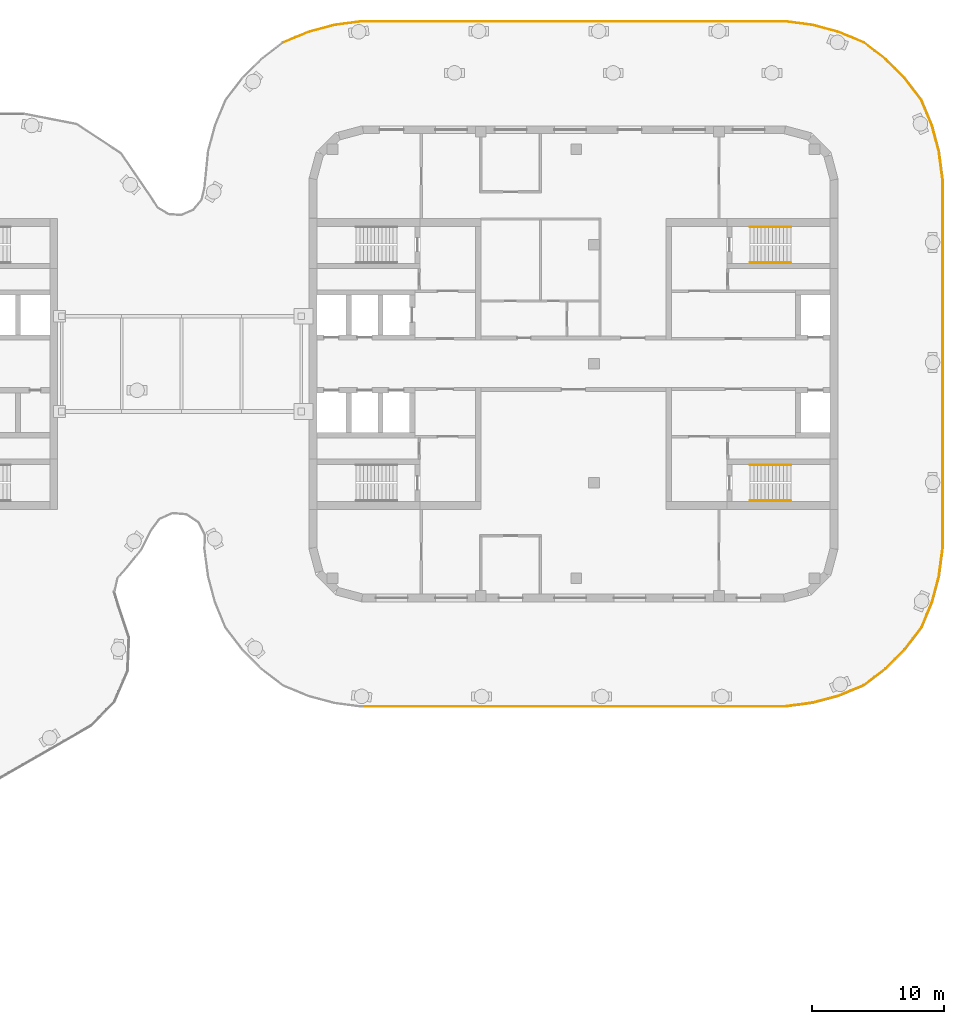
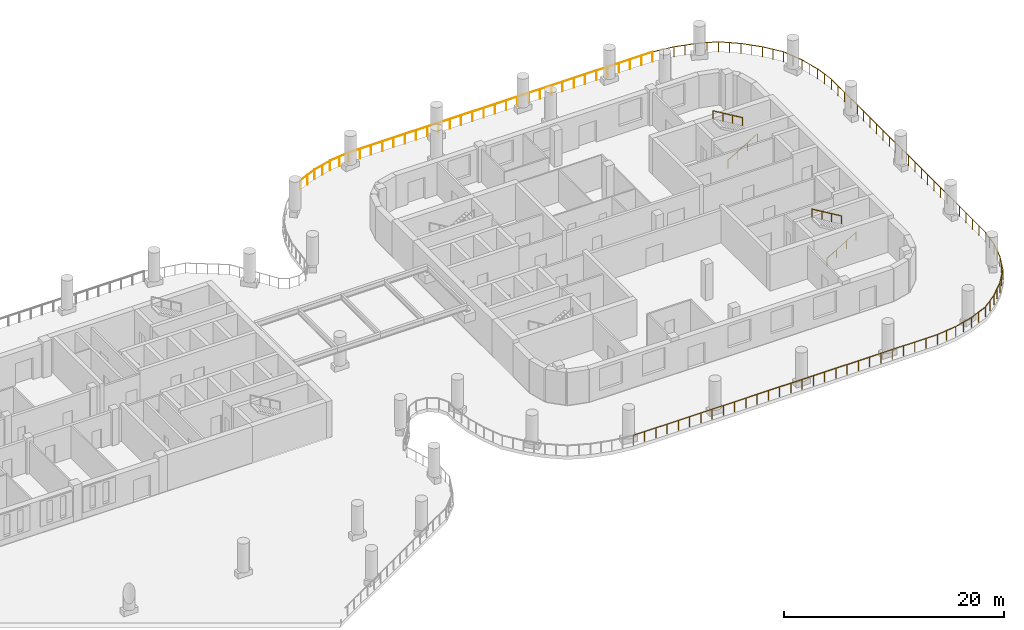
# One storey, part 16 of 18: 7 railings.
"""IFC4 building model written with IfcOpenShell, lengths in metres."""

from ifc_helpers import new_model, si_unit, direction, frame, origin, origin_2d, place, context, subcontext, project, spatial, circle, extrude, material, type_object, element, save


model = new_model("IFC4")

# Units and contexts
model_context = context("Model", 3, precision=1e-05, world=origin(), true_north=direction((0.0, 1.0)))
body_context = subcontext(model_context, "Body", "Model", "MODEL_VIEW")
ifc_project = project(units=[si_unit("LENGTHUNIT", "METRE"), si_unit("AREAUNIT", "SQUARE_METRE"), si_unit("VOLUMEUNIT", "CUBIC_METRE"), si_unit("PLANEANGLEUNIT", "RADIAN"), si_unit("MASSUNIT", "GRAM", prefix="KILO")], contexts=[model_context])

# Site, building, storey
site_placement = place(None, origin())
site = spatial("IfcSite", under=ifc_project, at=site_placement, CompositionType="ELEMENT")
building_placement = place(site_placement, origin())
building = spatial("IfcBuilding", under=site, at=building_placement, Name="Skarvind Civic Tower", CompositionType="ELEMENT")
storey_placement = place(building_placement, frame((0.0, 0.0, 27.5)))
storey = spatial("IfcBuildingStorey", under=building, at=storey_placement, Name="L05", CompositionType="ELEMENT", Elevation=27.5)

# Railings
ifc_material_1 = material(Name="Stainless steel balustrade", Category="steel")
railing_type_1 = type_object("IfcRailingType", Name="GR1 GUARD 1100", PredefinedType="GUARDRAIL", material=ifc_material_1)
railing_1_placement = place(storey_placement, frame((125.0517578125, 152.302734375, 0.0)))
element("IfcRailing", 1, at=railing_1_placement, inside=storey, type_object=railing_type_1, Name="PODIUM ROOF TERRACE GUARD", PredefinedType="GUARDRAIL", context=body_context, shape_type="SweptSolid", body=[
    extrude(circle(Radius=0.02392578125, at=origin_2d()), frame((0.0, 0.0, 1.076171875), z_axis=(0.924005469996, 0.382379250768, 0.0), x_axis=(-0.382379250768, 0.924005469996, 0.0)), (0.0, 0.0, 1.0), 2.09423828125),
    extrude(circle(Radius=0.02392578125, at=origin_2d()), frame((1.93505859375, 0.80078125, 1.076171875), z_axis=(0.965939918183, 0.258766447709, 0.0), x_axis=(-0.258766447709, 0.965939918183, 0.0)), (0.0, 0.0, 1.0), 2.009521484375),
    extrude(circle(Radius=0.02392578125, at=origin_2d()), frame((3.876220703125, 1.32080078125, 1.076171875), z_axis=(0.991453903281, 0.130457493725, 0.0), x_axis=(-0.130457493725, 0.991453903281, 0.0)), (0.0, 0.0, 1.0), 2.118408203125),
    extrude(circle(Radius=0.02392578125, at=origin_2d()), frame((5.9765625, 1.59716796875, 1.076171875), z_axis=(1.0, 0.0, 0.0), x_axis=(0.0, 1.0, 0.0)), (0.0, 0.0, 1.0), 31.943359375),
    extrude(circle(Radius=0.02099609375, at=origin_2d()), origin(), (0.0, 0.0, 1.0), 1.052001953125),
    extrude(circle(Radius=0.02099609375, at=origin_2d()), frame((0.967529296875, 0.400390625, 0.0)), (0.0, 0.0, 1.0), 1.052001953125),
    extrude(circle(Radius=0.02099609375, at=origin_2d()), frame((1.93505859375, 0.80078125, 0.0)), (0.0, 0.0, 1.0), 1.052001953125),
    extrude(circle(Radius=0.02099609375, at=origin_2d()), frame((2.90576171875, 1.060791015625, 0.0)), (0.0, 0.0, 1.0), 1.052001953125),
    extrude(circle(Radius=0.02099609375, at=origin_2d()), frame((3.876220703125, 1.32080078125, 0.0)), (0.0, 0.0, 1.0), 1.052001953125),
    extrude(circle(Radius=0.02099609375, at=origin_2d()), frame((4.92626953125, 1.458984375, 0.0)), (0.0, 0.0, 1.0), 1.052001953125),
    extrude(circle(Radius=0.02099609375, at=origin_2d()), frame((5.9765625, 1.59716796875, 0.0)), (0.0, 0.0, 1.0), 1.052001953125),
    extrude(circle(Radius=0.02099609375, at=origin_2d()), frame((7.15966796875, 1.59716796875, 0.0)), (0.0, 0.0, 1.0), 1.052001953125),
    extrude(circle(Radius=0.02099609375, at=origin_2d()), frame((8.3427734375, 1.59716796875, 0.0)), (0.0, 0.0, 1.0), 1.052001953125),
    extrude(circle(Radius=0.02099609375, at=origin_2d()), frame((9.52587890625, 1.59716796875, 0.0)), (0.0, 0.0, 1.0), 1.052001953125),
    extrude(circle(Radius=0.02099609375, at=origin_2d()), frame((10.708984375, 1.59716796875, 0.0)), (0.0, 0.0, 1.0), 1.052001953125),
    extrude(circle(Radius=0.02099609375, at=origin_2d()), frame((11.89208984375, 1.59716796875, 0.0)), (0.0, 0.0, 1.0), 1.052001953125),
    extrude(circle(Radius=0.02099609375, at=origin_2d()), frame((13.0751953125, 1.59716796875, 0.0)), (0.0, 0.0, 1.0), 1.052001953125),
    extrude(circle(Radius=0.02099609375, at=origin_2d()), frame((14.258056640625, 1.59716796875, 0.0)), (0.0, 0.0, 1.0), 1.052001953125),
    extrude(circle(Radius=0.02099609375, at=origin_2d()), frame((15.441162109375, 1.59716796875, 0.0)), (0.0, 0.0, 1.0), 1.052001953125),
    extrude(circle(Radius=0.02099609375, at=origin_2d()), frame((16.624267578125, 1.59716796875, 0.0)), (0.0, 0.0, 1.0), 1.052001953125),
    extrude(circle(Radius=0.02099609375, at=origin_2d()), frame((17.807373046875, 1.59716796875, 0.0)), (0.0, 0.0, 1.0), 1.052001953125),
    extrude(circle(Radius=0.02099609375, at=origin_2d()), frame((18.990478515625, 1.59716796875, 0.0)), (0.0, 0.0, 1.0), 1.052001953125),
    extrude(circle(Radius=0.02099609375, at=origin_2d()), frame((20.173583984375, 1.59716796875, 0.0)), (0.0, 0.0, 1.0), 1.052001953125),
    extrude(circle(Radius=0.02099609375, at=origin_2d()), frame((21.356689453125, 1.59716796875, 0.0)), (0.0, 0.0, 1.0), 1.052001953125),
    extrude(circle(Radius=0.02099609375, at=origin_2d()), frame((22.539794921875, 1.59716796875, 0.0)), (0.0, 0.0, 1.0), 1.052001953125),
    extrude(circle(Radius=0.02099609375, at=origin_2d()), frame((23.722900390625, 1.59716796875, 0.0)), (0.0, 0.0, 1.0), 1.052001953125),
    extrude(circle(Radius=0.02099609375, at=origin_2d()), frame((24.906005859375, 1.59716796875, 0.0)), (0.0, 0.0, 1.0), 1.052001953125),
    extrude(circle(Radius=0.02099609375, at=origin_2d()), frame((26.089111328125, 1.59716796875, 0.0)), (0.0, 0.0, 1.0), 1.052001953125),
    extrude(circle(Radius=0.02099609375, at=origin_2d()), frame((27.272216796875, 1.59716796875, 0.0)), (0.0, 0.0, 1.0), 1.052001953125),
    extrude(circle(Radius=0.02099609375, at=origin_2d()), frame((28.455322265625, 1.59716796875, 0.0)), (0.0, 0.0, 1.0), 1.052001953125),
    extrude(circle(Radius=0.02099609375, at=origin_2d()), frame((29.638427734375, 1.59716796875, 0.0)), (0.0, 0.0, 1.0), 1.052001953125),
    extrude(circle(Radius=0.02099609375, at=origin_2d()), frame((30.8212890625, 1.59716796875, 0.0)), (0.0, 0.0, 1.0), 1.052001953125),
    extrude(circle(Radius=0.02099609375, at=origin_2d()), frame((32.00439453125, 1.59716796875, 0.0)), (0.0, 0.0, 1.0), 1.052001953125),
    extrude(circle(Radius=0.02099609375, at=origin_2d()), frame((33.1875, 1.59716796875, 0.0)), (0.0, 0.0, 1.0), 1.052001953125),
    extrude(circle(Radius=0.02099609375, at=origin_2d()), frame((34.37060546875, 1.59716796875, 0.0)), (0.0, 0.0, 1.0), 1.052001953125),
    extrude(circle(Radius=0.02099609375, at=origin_2d()), frame((35.5537109375, 1.59716796875, 0.0)), (0.0, 0.0, 1.0), 1.052001953125),
    extrude(circle(Radius=0.02099609375, at=origin_2d()), frame((36.73681640625, 1.59716796875, 0.0)), (0.0, 0.0, 1.0), 1.052001953125),
    extrude(circle(Radius=0.02099609375, at=origin_2d()), frame((37.919921875, 1.59716796875, 0.0)), (0.0, 0.0, 1.0), 1.052001953125),
])
railing_2_placement = place(storey_placement, frame((162.9716796875, 153.89990234375, 0.0)))
element("IfcRailing", 2, at=railing_2_placement, inside=storey, type_object=railing_type_1, Name="PODIUM ROOF TERRACE GUARD", PredefinedType="GUARDRAIL", context=body_context, shape_type="SweptSolid", body=[
    extrude(circle(Radius=0.02392578125, at=origin_2d()), frame((0.0, 0.0, 1.076171875), z_axis=(0.991453903281, -0.130457493725, 0.0), x_axis=(0.130457493725, 0.991453903281, 0.0)), (0.0, 0.0, 1.0), 2.118408203125),
    extrude(circle(Radius=0.02392578125, at=origin_2d()), frame((2.100341796875, -0.2763671875, 1.076171875), z_axis=(0.965939918183, -0.258766447709, 0.0), x_axis=(0.258766447709, 0.965939918183, 0.0)), (0.0, 0.0, 1.0), 2.009521484375),
    extrude(circle(Radius=0.02392578125, at=origin_2d()), frame((4.04150390625, -0.79638671875, 1.076171875), z_axis=(0.924005469996, -0.382379250768, 0.0), x_axis=(0.382379250768, 0.924005469996, 0.0)), (0.0, 0.0, 1.0), 2.09423828125),
    extrude(circle(Radius=0.02392578125, at=origin_2d()), frame((5.9765625, -1.59716796875, 1.076171875), z_axis=(0.793122059235, -0.609062721856, 0.0), x_axis=(0.609062721856, 0.793122059235, 0.0)), (0.0, 0.0, 1.0), 2.094482421875),
    extrude(circle(Radius=0.02392578125, at=origin_2d()), frame((7.6376953125, -2.872802734375, 1.076171875), z_axis=(0.707106781187, -0.707106781187, 0.0), x_axis=(0.707106781187, 0.707106781187, 0.0)), (0.0, 0.0, 1.0), 2.0048828125),
    extrude(circle(Radius=0.02392578125, at=origin_2d()), frame((9.055419921875, -4.29052734375, 1.076171875), z_axis=(0.609062721856, -0.793122059235, 0.0), x_axis=(0.793122059235, 0.609062721856, 0.0)), (0.0, 0.0, 1.0), 2.094482421875),
    extrude(circle(Radius=0.02392578125, at=origin_2d()), frame((10.3310546875, -5.95166015625, 1.076171875), z_axis=(0.382379250768, -0.924005469996, 0.0), x_axis=(0.924005469996, 0.382379250768, 0.0)), (0.0, 0.0, 1.0), 2.09423828125),
    extrude(circle(Radius=0.02392578125, at=origin_2d()), frame((11.1318359375, -7.88671875, 1.076171875), z_axis=(0.258766447709, -0.965939918183, 0.0), x_axis=(0.965939918183, 0.258766447709, 0.0)), (0.0, 0.0, 1.0), 2.009521484375),
    extrude(circle(Radius=0.02392578125, at=origin_2d()), frame((11.65185546875, -9.827880859375, 1.076171875), z_axis=(0.130457493725, -0.991453903281, 0.0), x_axis=(0.991453903281, 0.130457493725, 0.0)), (0.0, 0.0, 1.0), 2.118408203125),
    extrude(circle(Radius=0.02392578125, at=origin_2d()), frame((11.92822265625, -11.92822265625, 1.076171875), z_axis=(0.0, -1.0, 0.0), x_axis=(1.0, 0.0, 0.0)), (0.0, 0.0, 1.0), 27.943359375),
    extrude(circle(Radius=0.02099609375, at=origin_2d()), origin(), (0.0, 0.0, 1.0), 1.052001953125),
    extrude(circle(Radius=0.02099609375, at=origin_2d()), frame((1.05029296875, -0.13818359375, 0.0)), (0.0, 0.0, 1.0), 1.052001953125),
    extrude(circle(Radius=0.02099609375, at=origin_2d()), frame((2.100341796875, -0.2763671875, 0.0)), (0.0, 0.0, 1.0), 1.052001953125),
    extrude(circle(Radius=0.02099609375, at=origin_2d()), frame((3.07080078125, -0.536376953125, 0.0)), (0.0, 0.0, 1.0), 1.052001953125),
    extrude(circle(Radius=0.02099609375, at=origin_2d()), frame((4.04150390625, -0.79638671875, 0.0)), (0.0, 0.0, 1.0), 1.052001953125),
    extrude(circle(Radius=0.02099609375, at=origin_2d()), frame((5.009033203125, -1.19677734375, 0.0)), (0.0, 0.0, 1.0), 1.052001953125),
    extrude(circle(Radius=0.02099609375, at=origin_2d()), frame((5.9765625, -1.59716796875, 0.0)), (0.0, 0.0, 1.0), 1.052001953125),
    extrude(circle(Radius=0.02099609375, at=origin_2d()), frame((6.80712890625, -2.23486328125, 0.0)), (0.0, 0.0, 1.0), 1.052001953125),
    extrude(circle(Radius=0.02099609375, at=origin_2d()), frame((7.6376953125, -2.872802734375, 0.0)), (0.0, 0.0, 1.0), 1.052001953125),
    extrude(circle(Radius=0.02099609375, at=origin_2d()), frame((8.3466796875, -3.58154296875, 0.0)), (0.0, 0.0, 1.0), 1.052001953125),
    extrude(circle(Radius=0.02099609375, at=origin_2d()), frame((9.055419921875, -4.29052734375, 0.0)), (0.0, 0.0, 1.0), 1.052001953125),
    extrude(circle(Radius=0.02099609375, at=origin_2d()), frame((9.693359375, -5.12109375, 0.0)), (0.0, 0.0, 1.0), 1.052001953125),
    extrude(circle(Radius=0.02099609375, at=origin_2d()), frame((10.3310546875, -5.95166015625, 0.0)), (0.0, 0.0, 1.0), 1.052001953125),
    extrude(circle(Radius=0.02099609375, at=origin_2d()), frame((10.7314453125, -6.919189453125, 0.0)), (0.0, 0.0, 1.0), 1.052001953125),
    extrude(circle(Radius=0.02099609375, at=origin_2d()), frame((11.1318359375, -7.88671875, 0.0)), (0.0, 0.0, 1.0), 1.052001953125),
    extrude(circle(Radius=0.02099609375, at=origin_2d()), frame((11.391845703125, -8.857421875, 0.0)), (0.0, 0.0, 1.0), 1.052001953125),
    extrude(circle(Radius=0.02099609375, at=origin_2d()), frame((11.65185546875, -9.827880859375, 0.0)), (0.0, 0.0, 1.0), 1.052001953125),
    extrude(circle(Radius=0.02099609375, at=origin_2d()), frame((11.7900390625, -10.8779296875, 0.0)), (0.0, 0.0, 1.0), 1.052001953125),
    extrude(circle(Radius=0.02099609375, at=origin_2d()), frame((11.92822265625, -11.92822265625, 0.0)), (0.0, 0.0, 1.0), 1.052001953125),
    extrude(circle(Radius=0.02099609375, at=origin_2d()), frame((11.92822265625, -13.092529296875, 0.0)), (0.0, 0.0, 1.0), 1.052001953125),
    extrude(circle(Radius=0.02099609375, at=origin_2d()), frame((11.92822265625, -14.2568359375, 0.0)), (0.0, 0.0, 1.0), 1.052001953125),
    extrude(circle(Radius=0.02099609375, at=origin_2d()), frame((11.92822265625, -15.421142578125, 0.0)), (0.0, 0.0, 1.0), 1.052001953125),
    extrude(circle(Radius=0.02099609375, at=origin_2d()), frame((11.92822265625, -16.58544921875, 0.0)), (0.0, 0.0, 1.0), 1.052001953125),
    extrude(circle(Radius=0.02099609375, at=origin_2d()), frame((11.92822265625, -17.749755859375, 0.0)), (0.0, 0.0, 1.0), 1.052001953125),
    extrude(circle(Radius=0.02099609375, at=origin_2d()), frame((11.92822265625, -18.9140625, 0.0)), (0.0, 0.0, 1.0), 1.052001953125),
    extrude(circle(Radius=0.02099609375, at=origin_2d()), frame((11.92822265625, -20.078369140625, 0.0)), (0.0, 0.0, 1.0), 1.052001953125),
    extrude(circle(Radius=0.02099609375, at=origin_2d()), frame((11.92822265625, -21.24267578125, 0.0)), (0.0, 0.0, 1.0), 1.052001953125),
    extrude(circle(Radius=0.02099609375, at=origin_2d()), frame((11.92822265625, -22.406982421875, 0.0)), (0.0, 0.0, 1.0), 1.052001953125),
    extrude(circle(Radius=0.02099609375, at=origin_2d()), frame((11.92822265625, -23.5712890625, 0.0)), (0.0, 0.0, 1.0), 1.052001953125),
    extrude(circle(Radius=0.02099609375, at=origin_2d()), frame((11.92822265625, -24.735595703125, 0.0)), (0.0, 0.0, 1.0), 1.052001953125),
    extrude(circle(Radius=0.02099609375, at=origin_2d()), frame((11.92822265625, -25.89990234375, 0.0)), (0.0, 0.0, 1.0), 1.052001953125),
    extrude(circle(Radius=0.02099609375, at=origin_2d()), frame((11.92822265625, -27.064208984375, 0.0)), (0.0, 0.0, 1.0), 1.052001953125),
    extrude(circle(Radius=0.02099609375, at=origin_2d()), frame((11.92822265625, -28.228515625, 0.0)), (0.0, 0.0, 1.0), 1.052001953125),
    extrude(circle(Radius=0.02099609375, at=origin_2d()), frame((11.92822265625, -29.392822265625, 0.0)), (0.0, 0.0, 1.0), 1.052001953125),
    extrude(circle(Radius=0.02099609375, at=origin_2d()), frame((11.92822265625, -30.55712890625, 0.0)), (0.0, 0.0, 1.0), 1.052001953125),
    extrude(circle(Radius=0.02099609375, at=origin_2d()), frame((11.92822265625, -31.721435546875, 0.0)), (0.0, 0.0, 1.0), 1.052001953125),
    extrude(circle(Radius=0.02099609375, at=origin_2d()), frame((11.92822265625, -32.8857421875, 0.0)), (0.0, 0.0, 1.0), 1.052001953125),
    extrude(circle(Radius=0.02099609375, at=origin_2d()), frame((11.92822265625, -34.050048828125, 0.0)), (0.0, 0.0, 1.0), 1.052001953125),
    extrude(circle(Radius=0.02099609375, at=origin_2d()), frame((11.92822265625, -35.21435546875, 0.0)), (0.0, 0.0, 1.0), 1.052001953125),
    extrude(circle(Radius=0.02099609375, at=origin_2d()), frame((11.92822265625, -36.378662109375, 0.0)), (0.0, 0.0, 1.0), 1.052001953125),
    extrude(circle(Radius=0.02099609375, at=origin_2d()), frame((11.92822265625, -37.54296875, 0.0)), (0.0, 0.0, 1.0), 1.052001953125),
    extrude(circle(Radius=0.02099609375, at=origin_2d()), frame((11.92822265625, -38.707275390625, 0.0)), (0.0, 0.0, 1.0), 1.052001953125),
    extrude(circle(Radius=0.02099609375, at=origin_2d()), frame((11.92822265625, -39.87158203125, 0.0)), (0.0, 0.0, 1.0), 1.052001953125),
])
railing_3_placement = place(storey_placement, frame((174.89990234375, 114.0283203125, 0.0)))
element("IfcRailing", 3, at=railing_3_placement, inside=storey, type_object=railing_type_1, Name="PODIUM ROOF TERRACE GUARD", PredefinedType="GUARDRAIL", context=body_context, shape_type="SweptSolid", body=[
    extrude(circle(Radius=0.02392578125, at=origin_2d()), frame((0.0, 0.0, 1.076171875), z_axis=(-0.130457493725, -0.991453903281, 0.0), x_axis=(0.991453903281, -0.130457493725, 0.0)), (0.0, 0.0, 1.0), 2.118408203125),
    extrude(circle(Radius=0.02392578125, at=origin_2d()), frame((-0.2763671875, -2.100341796875, 1.076171875), z_axis=(-0.258766447709, -0.965939918183, 0.0), x_axis=(0.965939918183, -0.258766447709, 0.0)), (0.0, 0.0, 1.0), 2.009521484375),
    extrude(circle(Radius=0.02392578125, at=origin_2d()), frame((-0.79638671875, -4.04150390625, 1.076171875), z_axis=(-0.382379250768, -0.924005469996, 0.0), x_axis=(0.924005469996, -0.382379250768, 0.0)), (0.0, 0.0, 1.0), 2.09423828125),
    extrude(circle(Radius=0.02392578125, at=origin_2d()), frame((-1.59716796875, -5.9765625, 1.076171875), z_axis=(-0.609062721856, -0.793122059235, 0.0), x_axis=(0.793122059235, -0.609062721856, 0.0)), (0.0, 0.0, 1.0), 2.094482421875),
    extrude(circle(Radius=0.02392578125, at=origin_2d()), frame((-2.872802734375, -7.6376953125, 1.076171875), z_axis=(-0.707106781187, -0.707106781187, 0.0), x_axis=(0.707106781187, -0.707106781187, 0.0)), (0.0, 0.0, 1.0), 2.0048828125),
    extrude(circle(Radius=0.02392578125, at=origin_2d()), frame((-4.29052734375, -9.055419921875, 1.076171875), z_axis=(-0.793122059235, -0.609062721856, 0.0), x_axis=(0.609062721856, -0.793122059235, 0.0)), (0.0, 0.0, 1.0), 2.094482421875),
    extrude(circle(Radius=0.02392578125, at=origin_2d()), frame((-5.95166015625, -10.3310546875, 1.076171875), z_axis=(-0.924005469996, -0.382379250768, 0.0), x_axis=(0.382379250768, -0.924005469996, 0.0)), (0.0, 0.0, 1.0), 2.09423828125),
    extrude(circle(Radius=0.02392578125, at=origin_2d()), frame((-7.88671875, -11.1318359375, 1.076171875), z_axis=(-0.965939918183, -0.258766447709, 0.0), x_axis=(0.258766447709, -0.965939918183, 0.0)), (0.0, 0.0, 1.0), 2.009521484375),
    extrude(circle(Radius=0.02392578125, at=origin_2d()), frame((-9.827880859375, -11.65185546875, 1.076171875), z_axis=(-0.991453903281, -0.130457493725, 0.0), x_axis=(0.130457493725, -0.991453903281, 0.0)), (0.0, 0.0, 1.0), 2.118408203125),
    extrude(circle(Radius=0.02392578125, at=origin_2d()), frame((-11.92822265625, -11.92822265625, 1.076171875), z_axis=(-1.0, 0.0, 0.0), x_axis=(0.0, -1.0, 0.0)), (0.0, 0.0, 1.0), 31.943359375),
    extrude(circle(Radius=0.02099609375, at=origin_2d()), origin(), (0.0, 0.0, 1.0), 1.052001953125),
    extrude(circle(Radius=0.02099609375, at=origin_2d()), frame((-0.13818359375, -1.05029296875, 0.0)), (0.0, 0.0, 1.0), 1.052001953125),
    extrude(circle(Radius=0.02099609375, at=origin_2d()), frame((-0.2763671875, -2.100341796875, 0.0)), (0.0, 0.0, 1.0), 1.052001953125),
    extrude(circle(Radius=0.02099609375, at=origin_2d()), frame((-0.536376953125, -3.07080078125, 0.0)), (0.0, 0.0, 1.0), 1.052001953125),
    extrude(circle(Radius=0.02099609375, at=origin_2d()), frame((-0.79638671875, -4.04150390625, 0.0)), (0.0, 0.0, 1.0), 1.052001953125),
    extrude(circle(Radius=0.02099609375, at=origin_2d()), frame((-1.19677734375, -5.009033203125, 0.0)), (0.0, 0.0, 1.0), 1.052001953125),
    extrude(circle(Radius=0.02099609375, at=origin_2d()), frame((-1.59716796875, -5.9765625, 0.0)), (0.0, 0.0, 1.0), 1.052001953125),
    extrude(circle(Radius=0.02099609375, at=origin_2d()), frame((-2.23486328125, -6.80712890625, 0.0)), (0.0, 0.0, 1.0), 1.052001953125),
    extrude(circle(Radius=0.02099609375, at=origin_2d()), frame((-2.872802734375, -7.6376953125, 0.0)), (0.0, 0.0, 1.0), 1.052001953125),
    extrude(circle(Radius=0.02099609375, at=origin_2d()), frame((-3.58154296875, -8.3466796875, 0.0)), (0.0, 0.0, 1.0), 1.052001953125),
    extrude(circle(Radius=0.02099609375, at=origin_2d()), frame((-4.29052734375, -9.055419921875, 0.0)), (0.0, 0.0, 1.0), 1.052001953125),
    extrude(circle(Radius=0.02099609375, at=origin_2d()), frame((-5.12109375, -9.693359375, 0.0)), (0.0, 0.0, 1.0), 1.052001953125),
    extrude(circle(Radius=0.02099609375, at=origin_2d()), frame((-5.95166015625, -10.3310546875, 0.0)), (0.0, 0.0, 1.0), 1.052001953125),
    extrude(circle(Radius=0.02099609375, at=origin_2d()), frame((-6.919189453125, -10.7314453125, 0.0)), (0.0, 0.0, 1.0), 1.052001953125),
    extrude(circle(Radius=0.02099609375, at=origin_2d()), frame((-7.88671875, -11.1318359375, 0.0)), (0.0, 0.0, 1.0), 1.052001953125),
    extrude(circle(Radius=0.02099609375, at=origin_2d()), frame((-8.857421875, -11.391845703125, 0.0)), (0.0, 0.0, 1.0), 1.052001953125),
    extrude(circle(Radius=0.02099609375, at=origin_2d()), frame((-9.827880859375, -11.65185546875, 0.0)), (0.0, 0.0, 1.0), 1.052001953125),
    extrude(circle(Radius=0.02099609375, at=origin_2d()), frame((-10.8779296875, -11.7900390625, 0.0)), (0.0, 0.0, 1.0), 1.052001953125),
    extrude(circle(Radius=0.02099609375, at=origin_2d()), frame((-11.92822265625, -11.92822265625, 0.0)), (0.0, 0.0, 1.0), 1.052001953125),
    extrude(circle(Radius=0.02099609375, at=origin_2d()), frame((-13.111328125, -11.92822265625, 0.0)), (0.0, 0.0, 1.0), 1.052001953125),
    extrude(circle(Radius=0.02099609375, at=origin_2d()), frame((-14.29443359375, -11.92822265625, 0.0)), (0.0, 0.0, 1.0), 1.052001953125),
    extrude(circle(Radius=0.02099609375, at=origin_2d()), frame((-15.4775390625, -11.92822265625, 0.0)), (0.0, 0.0, 1.0), 1.052001953125),
    extrude(circle(Radius=0.02099609375, at=origin_2d()), frame((-16.66064453125, -11.92822265625, 0.0)), (0.0, 0.0, 1.0), 1.052001953125),
    extrude(circle(Radius=0.02099609375, at=origin_2d()), frame((-17.84375, -11.92822265625, 0.0)), (0.0, 0.0, 1.0), 1.052001953125),
    extrude(circle(Radius=0.02099609375, at=origin_2d()), frame((-19.02685546875, -11.92822265625, 0.0)), (0.0, 0.0, 1.0), 1.052001953125),
    extrude(circle(Radius=0.02099609375, at=origin_2d()), frame((-20.209716796875, -11.92822265625, 0.0)), (0.0, 0.0, 1.0), 1.052001953125),
    extrude(circle(Radius=0.02099609375, at=origin_2d()), frame((-21.392822265625, -11.92822265625, 0.0)), (0.0, 0.0, 1.0), 1.052001953125),
    extrude(circle(Radius=0.02099609375, at=origin_2d()), frame((-22.575927734375, -11.92822265625, 0.0)), (0.0, 0.0, 1.0), 1.052001953125),
    extrude(circle(Radius=0.02099609375, at=origin_2d()), frame((-23.759033203125, -11.92822265625, 0.0)), (0.0, 0.0, 1.0), 1.052001953125),
    extrude(circle(Radius=0.02099609375, at=origin_2d()), frame((-24.942138671875, -11.92822265625, 0.0)), (0.0, 0.0, 1.0), 1.052001953125),
    extrude(circle(Radius=0.02099609375, at=origin_2d()), frame((-26.125244140625, -11.92822265625, 0.0)), (0.0, 0.0, 1.0), 1.052001953125),
    extrude(circle(Radius=0.02099609375, at=origin_2d()), frame((-27.308349609375, -11.92822265625, 0.0)), (0.0, 0.0, 1.0), 1.052001953125),
    extrude(circle(Radius=0.02099609375, at=origin_2d()), frame((-28.491455078125, -11.92822265625, 0.0)), (0.0, 0.0, 1.0), 1.052001953125),
    extrude(circle(Radius=0.02099609375, at=origin_2d()), frame((-29.674560546875, -11.92822265625, 0.0)), (0.0, 0.0, 1.0), 1.052001953125),
    extrude(circle(Radius=0.02099609375, at=origin_2d()), frame((-30.857666015625, -11.92822265625, 0.0)), (0.0, 0.0, 1.0), 1.052001953125),
    extrude(circle(Radius=0.02099609375, at=origin_2d()), frame((-32.040771484375, -11.92822265625, 0.0)), (0.0, 0.0, 1.0), 1.052001953125),
    extrude(circle(Radius=0.02099609375, at=origin_2d()), frame((-33.223876953125, -11.92822265625, 0.0)), (0.0, 0.0, 1.0), 1.052001953125),
    extrude(circle(Radius=0.02099609375, at=origin_2d()), frame((-34.406982421875, -11.92822265625, 0.0)), (0.0, 0.0, 1.0), 1.052001953125),
    extrude(circle(Radius=0.02099609375, at=origin_2d()), frame((-35.590087890625, -11.92822265625, 0.0)), (0.0, 0.0, 1.0), 1.052001953125),
    extrude(circle(Radius=0.02099609375, at=origin_2d()), frame((-36.77294921875, -11.92822265625, 0.0)), (0.0, 0.0, 1.0), 1.052001953125),
    extrude(circle(Radius=0.02099609375, at=origin_2d()), frame((-37.9560546875, -11.92822265625, 0.0)), (0.0, 0.0, 1.0), 1.052001953125),
    extrude(circle(Radius=0.02099609375, at=origin_2d()), frame((-39.13916015625, -11.92822265625, 0.0)), (0.0, 0.0, 1.0), 1.052001953125),
    extrude(circle(Radius=0.02099609375, at=origin_2d()), frame((-40.322265625, -11.92822265625, 0.0)), (0.0, 0.0, 1.0), 1.052001953125),
    extrude(circle(Radius=0.02099609375, at=origin_2d()), frame((-41.50537109375, -11.92822265625, 0.0)), (0.0, 0.0, 1.0), 1.052001953125),
    extrude(circle(Radius=0.02099609375, at=origin_2d()), frame((-42.6884765625, -11.92822265625, 0.0)), (0.0, 0.0, 1.0), 1.052001953125),
    extrude(circle(Radius=0.02099609375, at=origin_2d()), frame((-43.87158203125, -11.92822265625, 0.0)), (0.0, 0.0, 1.0), 1.052001953125),
])
ifc_material_2 = material(Name="Painted steel handrail", Category="steel")
railing_type_2 = type_object("IfcRailingType", Name="Stair handrail 900", PredefinedType="HANDRAIL", material=ifc_material_2)
railing_4_placement = place(storey_placement, frame((160.35009765625, 135.64990234375, 0.166748046875)))
element("IfcRailing", 4, at=railing_4_placement, inside=storey, type_object=railing_type_2, Name="Stair handrail", PredefinedType="HANDRAIL", context=body_context, shape_type="SweptSolid", body=[
    extrude(circle(Radius=0.02392578125, at=origin_2d()), frame((0.0, 0.0, 0.8759765625), z_axis=(0.859290745958, 0.0, 0.51148745235), x_axis=(0.0, 1.0, 0.0)), (0.0, 0.0, 1.0), 3.584228515625),
    extrude(circle(Radius=0.02099609375, at=origin_2d()), origin(), (0.0, 0.0, 1.0), 0.851806640625),
    extrude(circle(Radius=0.02099609375, at=origin_2d()), frame((1.026611328125, 0.0, 0.611083984375)), (0.0, 0.0, 1.0), 0.851806640625),
    extrude(circle(Radius=0.02099609375, at=origin_2d()), frame((2.05322265625, 0.0, 1.22216796875)), (0.0, 0.0, 1.0), 0.851806640625),
    extrude(circle(Radius=0.02099609375, at=origin_2d()), frame((3.079833984375, 0.0, 1.833251953125)), (0.0, 0.0, 1.0), 0.851806640625),
])
railing_5_placement = place(storey_placement, frame((163.429931640625, 138.35009765625, 2.166748046875)))
element("IfcRailing", 5, at=railing_5_placement, inside=storey, type_object=railing_type_2, Name="Stair handrail", PredefinedType="HANDRAIL", context=body_context, shape_type="SweptSolid", body=[
    extrude(circle(Radius=0.02392578125, at=origin_2d()), frame((0.0, 0.0, 0.8759765625), z_axis=(-0.859290745958, 0.0, 0.51148745235), x_axis=(0.0, -1.0, 0.0)), (0.0, 0.0, 1.0), 3.584228515625),
    extrude(circle(Radius=0.02099609375, at=origin_2d()), origin(), (0.0, 0.0, 1.0), 0.851806640625),
    extrude(circle(Radius=0.02099609375, at=origin_2d()), frame((-1.026611328125, 0.0, 0.611083984375)), (0.0, 0.0, 1.0), 0.851806640625),
    extrude(circle(Radius=0.02099609375, at=origin_2d()), frame((-2.05322265625, 0.0, 1.22216796875)), (0.0, 0.0, 1.0), 0.851806640625),
    extrude(circle(Radius=0.02099609375, at=origin_2d()), frame((-3.079833984375, 0.0, 1.833251953125)), (0.0, 0.0, 1.0), 0.851806640625),
])
railing_6_placement = place(storey_placement, frame((160.35009765625, 117.64990234375, 0.166748046875)))
element("IfcRailing", 6, at=railing_6_placement, inside=storey, type_object=railing_type_2, Name="Stair handrail", PredefinedType="HANDRAIL", context=body_context, shape_type="SweptSolid", body=[
    extrude(circle(Radius=0.02392578125, at=origin_2d()), frame((0.0, 0.0, 0.8759765625), z_axis=(0.859290745958, 0.0, 0.51148745235), x_axis=(0.0, 1.0, 0.0)), (0.0, 0.0, 1.0), 3.584228515625),
    extrude(circle(Radius=0.02099609375, at=origin_2d()), origin(), (0.0, 0.0, 1.0), 0.851806640625),
    extrude(circle(Radius=0.02099609375, at=origin_2d()), frame((1.026611328125, 0.0, 0.611083984375)), (0.0, 0.0, 1.0), 0.851806640625),
    extrude(circle(Radius=0.02099609375, at=origin_2d()), frame((2.05322265625, 0.0, 1.22216796875)), (0.0, 0.0, 1.0), 0.851806640625),
    extrude(circle(Radius=0.02099609375, at=origin_2d()), frame((3.079833984375, 0.0, 1.833251953125)), (0.0, 0.0, 1.0), 0.851806640625),
])
railing_7_placement = place(storey_placement, frame((163.429931640625, 120.35009765625, 2.166748046875)))
element("IfcRailing", 7, at=railing_7_placement, inside=storey, type_object=railing_type_2, Name="Stair handrail", PredefinedType="HANDRAIL", context=body_context, shape_type="SweptSolid", body=[
    extrude(circle(Radius=0.02392578125, at=origin_2d()), frame((0.0, 0.0, 0.8759765625), z_axis=(-0.859290745958, 0.0, 0.51148745235), x_axis=(0.0, -1.0, 0.0)), (0.0, 0.0, 1.0), 3.584228515625),
    extrude(circle(Radius=0.02099609375, at=origin_2d()), origin(), (0.0, 0.0, 1.0), 0.851806640625),
    extrude(circle(Radius=0.02099609375, at=origin_2d()), frame((-1.026611328125, 0.0, 0.611083984375)), (0.0, 0.0, 1.0), 0.851806640625),
    extrude(circle(Radius=0.02099609375, at=origin_2d()), frame((-2.05322265625, 0.0, 1.22216796875)), (0.0, 0.0, 1.0), 0.851806640625),
    extrude(circle(Radius=0.02099609375, at=origin_2d()), frame((-3.079833984375, 0.0, 1.833251953125)), (0.0, 0.0, 1.0), 0.851806640625),
])

save(model, "model.ifc")
